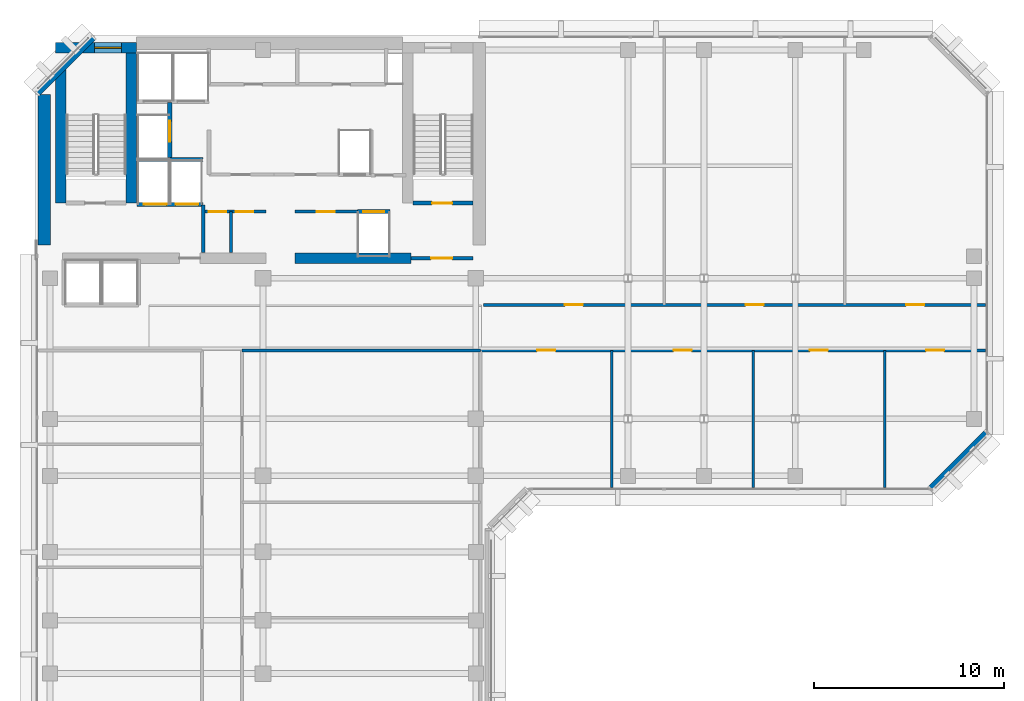
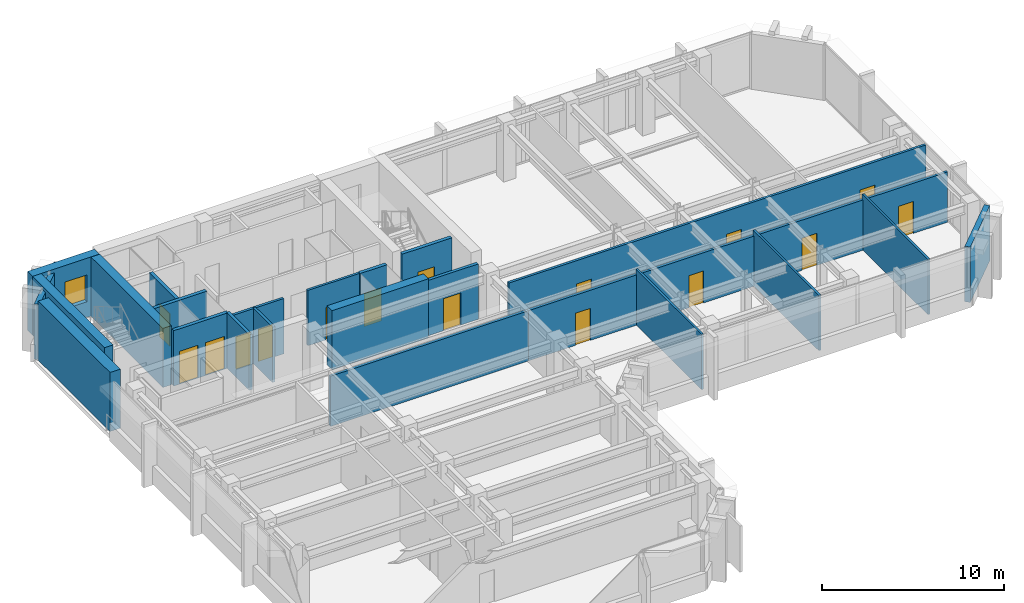
# One storey, part 7 of 12: 23 walls, 16 doors, 1 window, 17 openings.
"""IFC4 building model written with IfcOpenShell, lengths in metres."""

from ifc_helpers import new_model, si_unit, direction, frame, frame_2d, origin, place, context, subcontext, project, spatial, rectangle, extrude, material, layer, layer_set, type_object, element, fill, save


model = new_model("IFC4")

# Units and contexts
model_context = context("Model", 3, precision=1e-05, world=origin(), true_north=direction((0.0, 1.0)))
body_context = subcontext(model_context, "Body", "Model", "MODEL_VIEW")
ifc_project = project(units=[si_unit("LENGTHUNIT", "METRE"), si_unit("AREAUNIT", "SQUARE_METRE"), si_unit("VOLUMEUNIT", "CUBIC_METRE"), si_unit("PLANEANGLEUNIT", "RADIAN"), si_unit("MASSUNIT", "GRAM", prefix="KILO")], contexts=[model_context])

# Site, building, storey
site_placement = place(None, origin())
site = spatial("IfcSite", under=ifc_project, at=site_placement, CompositionType="ELEMENT")
building_placement = place(site_placement, origin())
building = spatial("IfcBuilding", under=site, at=building_placement, Name="Kefirva Bronze Tower", CompositionType="ELEMENT")
storey_placement = place(building_placement, frame((0.0, 0.0, 260.3701171875)))
storey = spatial("IfcBuildingStorey", under=building, at=storey_placement, Name="L63", CompositionType="ELEMENT", Elevation=260.3701171875)

# Walls
ifc_material_1 = material(Name="Gypsum acoustic partition")
ifc_layer_1 = layer(ifc_material_1, 0.1298828125, Name="Gypsum acoustic partition")
ifc_layer_set_1 = layer_set([ifc_layer_1], Name="Gypsum acoustic partition")
wall_type_1 = type_object("IfcWallType", Name="Acoustic Office Partition 130mm", PredefinedType="PARTITIONING", material=ifc_layer_set_1)
for number, where, z_axis, x_axis, name in (
    (1, (30.355712890625, 22.18994140625, 0.0), (0.0, 0.0, 1.0), (0.0, 1.0, 0.0), "L63 Partition W-L63-ESD1"),
    (2, (37.79248046875, 22.18994140625, 0.0), (0.0, 0.0, 1.0), (0.0, 1.0, 0.0), "L63 Partition W-L63-ESD2"),
    (3, (44.697998046875, 22.18994140625, 0.0), (0.0, 0.0, 1.0), (0.0, 1.0, 0.0), "L63 Partition W-L63-ESD3"),
):
    element("IfcWall", number, at=place(storey_placement, frame(where, z_axis=z_axis, x_axis=x_axis)), inside=storey, type_object=wall_type_1, Name=name, PredefinedType="PARTITIONING", context=body_context, shape_type="SweptSolid", body=[
        extrude(rectangle(XDim=7.2099609375, YDim=0.1298828125, at=frame_2d((3.60498046875, 0.0))), origin(), (0.0, 0.0, 1.0), 3.7099609375),
    ])

# Wall, opening, door
ifc_layer_2 = layer(ifc_material_1, 0.14990234375, Name="Gypsum acoustic partition")
ifc_layer_set_2 = layer_set([ifc_layer_2], Name="Gypsum acoustic partition")
wall_type_2 = type_object("IfcWallType", Name="Executive Suite Partition 150mm", PredefinedType="PARTITIONING", material=ifc_layer_set_2)
wall_1_placement = place(storey_placement, frame((13.679931640625, 36.699951171875, 0.0), z_axis=(0.0, 0.0, 1.0), x_axis=(1.0, 0.0, 0.0)))
wall_1 = element("IfcWall", 4, at=wall_1_placement, inside=storey, type_object=wall_type_2, Name="L63 Partition W-L63-RECMP1", PredefinedType="PARTITIONING", context=body_context, shape_type="SweptSolid", body=[
    extrude(rectangle(XDim=3.280029296875, YDim=0.14990234375, at=frame_2d((1.64013671875, 0.0))), origin(), (0.0, 0.0, 1.0), 3.7099609375),
])
opening_1_placement = place(wall_1_placement, frame((1.14990234375, 0.0, 0.0)))
opening_1 = element("IfcOpeningElement", 5, at=opening_1_placement, cuts=wall_1, Name="Opening L63-D-RECMP1", PredefinedType="OPENING", context=body_context, shape_type="SweptSolid", body=[
    extrude(rectangle(XDim=0.949951171875, YDim=2.14990234375, at=frame_2d((0.47509765625, 1.074951171875))), frame((0.0, 0.0849609375, 0.0), z_axis=(0.0, -1.0, 0.0), x_axis=(1.0, 0.0, 0.0)), (0.0, 0.0, 1.0), 0.169921875),
])
ifc_material_2 = material(Name="Acoustic hardwood oak", Category="wood")
door_type_1 = type_object("IfcDoorType", Name="Office & Meeting Room Door 950x2150", OperationType="NOTDEFINED", PredefinedType="DOOR", material=ifc_material_2)
door_1_placement = place(opening_1_placement, origin())
door_1 = element("IfcDoor", 6, at=door_1_placement, inside=storey, type_object=door_type_1, Name="Door L63-D-RECMP1", OperationType="SINGLE_SWING_LEFT", OverallHeight=2.14990234375, OverallWidth=0.949951171875, PredefinedType="DOOR", context=body_context, shape_type="SweptSolid", body=[
    extrude(rectangle(XDim=0.949951171875, YDim=2.14990234375, at=frame_2d((0.47509765625, 1.074951171875))), frame((0.0, 0.02490234375, 0.0), z_axis=(0.0, -1.0, 0.0), x_axis=(1.0, 0.0, 0.0)), (0.0, 0.0, 1.0), 0.050048828125),
])
fill(opening_1, door_1)

ifc_material_3 = material(Name="Gypsum fireboard shaftwall")
ifc_layer_3 = layer(ifc_material_3, 0.219970703125, Name="Gypsum fireboard shaftwall")
ifc_layer_set_3 = layer_set([ifc_layer_3], Name="Gypsum fireboard shaftwall")
wall_type_3 = type_object("IfcWallType", Name="Fire-Rated Shaft Enclosure Wall 220mm", PredefinedType="PARTITIONING", material=ifc_layer_set_3)
wall_2_placement = place(storey_placement, frame((19.89990234375, 37.14990234375, 0.0), z_axis=(0.0, 0.0, 1.0), x_axis=(1.0, 0.0, 0.0)))
wall_2 = element("IfcWall", 7, at=wall_2_placement, inside=storey, type_object=wall_type_3, Name="L63 Partition W-L63-ST2S", PredefinedType="PARTITIONING", context=body_context, shape_type="SweptSolid", body=[
    extrude(rectangle(XDim=3.150146484375, YDim=0.219970703125, at=frame_2d((1.5751953125, 0.0))), origin(), (0.0, 0.0, 1.0), 3.7099609375),
])
opening_2_placement = place(wall_2_placement, frame((2.050048828125, 0.0, 0.0), z_axis=(0.0, 0.0, 1.0), x_axis=(-1.0, 0.0, 0.0)))
opening_2 = element("IfcOpeningElement", 8, at=opening_2_placement, cuts=wall_2, Name="Opening L63-D003", PredefinedType="OPENING", context=body_context, shape_type="SweptSolid", body=[
    extrude(rectangle(XDim=1.050048828125, YDim=2.14990234375, at=frame_2d((0.52490234375, 1.074951171875))), frame((0.0, 0.1201171875, 0.0), z_axis=(0.0, -1.0, 0.0), x_axis=(1.0, 0.0, 0.0)), (0.0, 0.0, 1.0), 0.239990234375),
])
ifc_material_4 = material(Name="Painted galvanized steel", Category="steel")
door_type_2 = type_object("IfcDoorType", Name="Fire Stair Enclosure Door 1050x2150 FD90S", OperationType="NOTDEFINED", PredefinedType="DOOR", material=ifc_material_4)
door_2_placement = place(opening_2_placement, origin())
door_2 = element("IfcDoor", 9, at=door_2_placement, inside=storey, type_object=door_type_2, Name="Door L63-D003", OperationType="SINGLE_SWING_LEFT", OverallHeight=2.14990234375, OverallWidth=1.050048828125, PredefinedType="DOOR", context=body_context, shape_type="SweptSolid", body=[
    extrude(rectangle(XDim=1.050048828125, YDim=2.14990234375, at=frame_2d((0.52490234375, 1.074951171875))), frame((0.0, 0.02490234375, 0.0), z_axis=(0.0, -1.0, 0.0), x_axis=(1.0, 0.0, 0.0)), (0.0, 0.0, 1.0), 0.050048828125),
])
fill(opening_2, door_2)

# Wall, openings, doors
wall_3_placement = place(storey_placement, frame((5.3798828125, 37.080078125, 0.0), z_axis=(0.0, 0.0, 1.0), x_axis=(1.0, 0.0, 0.0)))
wall_3 = element("IfcWall", 10, at=wall_3_placement, inside=storey, type_object=wall_type_3, Name="L63 Partition W-L63-FFS", PredefinedType="PARTITIONING", context=body_context, shape_type="SweptSolid", body=[
    extrude(rectangle(XDim=3.460205078125, YDim=0.219970703125, at=frame_2d((1.72998046875, 0.0))), origin(), (0.0, 0.0, 1.0), 3.7099609375),
])
opening_3_placement = place(wall_3_placement, frame((1.550048828125, 0.0, 0.0), z_axis=(0.0, 0.0, 1.0), x_axis=(-1.0, 0.0, 0.0)))
opening_3 = element("IfcOpeningElement", 11, at=opening_3_placement, cuts=wall_3, Name="Opening L63-LD-FF1", PredefinedType="OPENING", context=body_context, shape_type="SweptSolid", body=[
    extrude(rectangle(XDim=1.199951171875, YDim=2.199951171875, at=frame_2d((0.60009765625, 1.10009765625))), frame((0.0, 0.1201171875, 0.0), z_axis=(0.0, -1.0, 0.0), x_axis=(1.0, 0.0, 0.0)), (0.0, 0.0, 1.0), 0.239990234375),
])
opening_4_placement = place(wall_3_placement, frame((3.219970703125, 0.0, 0.0), z_axis=(0.0, 0.0, 1.0), x_axis=(-1.0, 0.0, 0.0)))
opening_4 = element("IfcOpeningElement", 12, at=opening_4_placement, cuts=wall_3, Name="Opening L63-LD-FF2", PredefinedType="OPENING", context=body_context, shape_type="SweptSolid", body=[
    extrude(rectangle(XDim=1.199951171875, YDim=2.199951171875, at=frame_2d((0.60009765625, 1.10009765625))), frame((0.0, 0.1201171875, 0.0), z_axis=(0.0, -1.0, 0.0), x_axis=(1.0, 0.0, 0.0)), (0.0, 0.0, 1.0), 0.239990234375),
])
ifc_material_5 = material(Name="Stainless steel 316", Category="steel")
door_type_3 = type_object("IfcDoorType", Name="Firefighting Lift Sliding Door 1200x2200", OperationType="SLIDING_TO_RIGHT", PredefinedType="DOOR", material=ifc_material_5)
door_3_placement = place(opening_3_placement, origin())
door_3 = element("IfcDoor", 13, at=door_3_placement, inside=storey, type_object=door_type_3, Name="Door L63-LD-FF1", OperationType="SLIDING_TO_RIGHT", OverallHeight=2.199951171875, OverallWidth=1.199951171875, PredefinedType="DOOR", context=body_context, shape_type="SweptSolid", body=[
    extrude(rectangle(XDim=1.199951171875, YDim=2.199951171875, at=frame_2d((0.60009765625, 1.10009765625))), frame((0.0, 0.02490234375, 0.0), z_axis=(0.0, -1.0, 0.0), x_axis=(1.0, 0.0, 0.0)), (0.0, 0.0, 1.0), 0.050048828125),
])
fill(opening_3, door_3)
door_4_placement = place(opening_4_placement, origin())
door_4 = element("IfcDoor", 14, at=door_4_placement, inside=storey, type_object=door_type_3, Name="Door L63-LD-FF2", OperationType="SLIDING_TO_RIGHT", OverallHeight=2.199951171875, OverallWidth=1.199951171875, PredefinedType="DOOR", context=body_context, shape_type="SweptSolid", body=[
    extrude(rectangle(XDim=1.199951171875, YDim=2.199951171875, at=frame_2d((0.60009765625, 1.10009765625))), frame((0.0, 0.02490234375, 0.0), z_axis=(0.0, -1.0, 0.0), x_axis=(1.0, 0.0, 0.0)), (0.0, 0.0, 1.0), 0.050048828125),
])
fill(opening_4, door_4)

# Wall
wall_4_placement = place(storey_placement, frame((5.3798828125, 39.449951171875, 0.0), z_axis=(0.0, 0.0, 1.0), x_axis=(1.0, 0.0, 0.0)))
element("IfcWall", 15, at=wall_4_placement, inside=storey, type_object=wall_type_3, Name="L63 Partition W-L63-FFN", PredefinedType="PARTITIONING", context=body_context, shape_type="SweptSolid", body=[
    extrude(rectangle(XDim=3.460205078125, YDim=0.219970703125, at=frame_2d((1.72998046875, 0.0))), origin(), (0.0, 0.0, 1.0), 3.7099609375),
])

# Wall, opening, door
wall_5_placement = place(storey_placement, frame((7.10009765625, 39.52001953125, 0.0), z_axis=(0.0, 0.0, 1.0), x_axis=(0.0, 1.0, 0.0)))
wall_5 = element("IfcWall", 16, at=wall_5_placement, inside=storey, type_object=wall_type_3, Name="L63 Partition W-L63-HP3E", PredefinedType="PARTITIONING", context=body_context, shape_type="SweptSolid", body=[
    extrude(rectangle(XDim=2.929931640625, YDim=0.219970703125, at=frame_2d((1.46484375, 0.0))), origin(), (0.0, 0.0, 1.0), 3.7099609375),
])
opening_5_placement = place(wall_5_placement, frame((0.85009765625, 0.0, 0.0)))
opening_5 = element("IfcOpeningElement", 17, at=opening_5_placement, cuts=wall_5, Name="Opening L63-LD-HP3", PredefinedType="OPENING", context=body_context, shape_type="SweptSolid", body=[
    extrude(rectangle(XDim=1.10009765625, YDim=2.199951171875, at=frame_2d((0.550048828125, 1.10009765625))), frame((0.0, 0.1201171875, 0.0), z_axis=(0.0, -1.0, 0.0), x_axis=(1.0, 0.0, 0.0)), (0.0, 0.0, 1.0), 0.239990234375),
])
door_type_4 = type_object("IfcDoorType", Name="Passenger Lift Sliding Landing Door 1100x2200", OperationType="SLIDING_TO_LEFT", PredefinedType="DOOR", material=ifc_material_5)
door_5_placement = place(opening_5_placement, origin())
door_5 = element("IfcDoor", 18, at=door_5_placement, inside=storey, type_object=door_type_4, Name="Door L63-LD-HP3", OperationType="SLIDING_TO_LEFT", OverallHeight=2.199951171875, OverallWidth=1.10009765625, PredefinedType="DOOR", context=body_context, shape_type="SweptSolid", body=[
    extrude(rectangle(XDim=1.10009765625, YDim=2.199951171875, at=frame_2d((0.550048828125, 1.10009765625))), frame((0.0, 0.02490234375, 0.0), z_axis=(0.0, -1.0, 0.0), x_axis=(1.0, 0.0, 0.0)), (0.0, 0.0, 1.0), 0.050048828125),
])
fill(opening_5, door_5)

wall_6_placement = place(storey_placement, frame((16.97998046875, 36.699951171875, 0.0), z_axis=(0.0, 0.0, 1.0), x_axis=(1.0, 0.0, 0.0)))
wall_6 = element("IfcWall", 19, at=wall_6_placement, inside=storey, type_object=wall_type_3, Name="L63 Partition W-L63-HPS", PredefinedType="PARTITIONING", context=body_context, shape_type="SweptSolid", body=[
    extrude(rectangle(XDim=1.699951171875, YDim=0.219970703125, at=frame_2d((0.85009765625, 0.0))), origin(), (0.0, 0.0, 1.0), 3.7099609375),
])
opening_6_placement = place(wall_6_placement, frame((0.300048828125, 0.0, 0.0)))
opening_6 = element("IfcOpeningElement", 20, at=opening_6_placement, cuts=wall_6, Name="Opening L63-LD-HP1", PredefinedType="OPENING", context=body_context, shape_type="SweptSolid", body=[
    extrude(rectangle(XDim=1.10009765625, YDim=2.199951171875, at=frame_2d((0.550048828125, 1.10009765625))), frame((0.0, 0.1201171875, 0.0), z_axis=(0.0, -1.0, 0.0), x_axis=(1.0, 0.0, 0.0)), (0.0, 0.0, 1.0), 0.239990234375),
])
door_6_placement = place(opening_6_placement, origin())
door_6 = element("IfcDoor", 21, at=door_6_placement, inside=storey, type_object=door_type_4, Name="Door L63-LD-HP1", OperationType="SLIDING_TO_LEFT", OverallHeight=2.199951171875, OverallWidth=1.10009765625, PredefinedType="DOOR", context=body_context, shape_type="SweptSolid", body=[
    extrude(rectangle(XDim=1.10009765625, YDim=2.199951171875, at=frame_2d((0.550048828125, 1.10009765625))), frame((0.0, 0.02490234375, 0.0), z_axis=(0.0, -1.0, 0.0), x_axis=(1.0, 0.0, 0.0)), (0.0, 0.0, 1.0), 0.050048828125),
])
fill(opening_6, door_6)

# Wall
ifc_material_6 = material(Name="Gypsum fireboard barrier")
ifc_layer_4 = layer(ifc_material_6, 0.199951171875, Name="Gypsum fireboard barrier")
ifc_layer_set_4 = layer_set([ifc_layer_4], Name="Gypsum fireboard barrier")
wall_type_4 = type_object("IfcWallType", Name="Firefighting Lobby Barrier Wall 200mm", PredefinedType="PARTITIONING", material=ifc_layer_set_4)
wall_7_placement = place(storey_placement, frame((8.860107421875, 34.550048828125, 0.0), z_axis=(0.0, 0.0, 1.0), x_axis=(0.0, 1.0, 0.0)))
element("IfcWall", 22, at=wall_7_placement, inside=storey, type_object=wall_type_4, Name="L63 Partition W-L63-FFLE", PredefinedType="PARTITIONING", context=body_context, shape_type="SweptSolid", body=[
    extrude(rectangle(XDim=2.5, YDim=0.199951171875, at=frame_2d((1.25, 0.0))), origin(), (0.0, 0.0, 1.0), 3.7099609375),
])

# Wall, opening, door
wall_8_placement = place(storey_placement, frame((19.800048828125, 34.25, 0.0), z_axis=(0.0, 0.0, 1.0), x_axis=(1.0, 0.0, 0.0)))
wall_8 = element("IfcWall", 23, at=wall_8_placement, inside=storey, type_object=wall_type_4, Name="L63 Partition W-L63-ST2F", PredefinedType="PARTITIONING", context=body_context, shape_type="SweptSolid", body=[
    extrude(rectangle(XDim=3.25, YDim=0.199951171875, at=frame_2d((1.625, 0.0))), origin(), (0.0, 0.0, 1.0), 3.7099609375),
])
opening_7_placement = place(wall_8_placement, frame((2.150146484375, 0.0, 0.0), z_axis=(0.0, 0.0, 1.0), x_axis=(-1.0, 0.0, 0.0)))
opening_7 = element("IfcOpeningElement", 24, at=opening_7_placement, cuts=wall_8, Name="Opening L63-D004", PredefinedType="OPENING", context=body_context, shape_type="SweptSolid", body=[
    extrude(rectangle(XDim=1.10009765625, YDim=2.14990234375, at=frame_2d((0.550048828125, 1.074951171875))), frame((0.0, 0.10986328125, 0.0), z_axis=(0.0, -1.0, 0.0), x_axis=(1.0, 0.0, 0.0)), (0.0, 0.0, 1.0), 0.219970703125),
])
door_type_5 = type_object("IfcDoorType", Name="Firefighting Lobby Smoke Door 1100x2150 FD60S", OperationType="NOTDEFINED", PredefinedType="DOOR", material=ifc_material_4)
door_7_placement = place(opening_7_placement, origin())
door_7 = element("IfcDoor", 25, at=door_7_placement, inside=storey, type_object=door_type_5, Name="Door L63-D004", OperationType="SINGLE_SWING_RIGHT", OverallHeight=2.14990234375, OverallWidth=1.10009765625, PredefinedType="DOOR", context=body_context, shape_type="SweptSolid", body=[
    extrude(rectangle(XDim=1.10009765625, YDim=2.14990234375, at=frame_2d((0.550048828125, 1.074951171875))), frame((0.0, 0.02490234375, 0.0), z_axis=(0.0, -1.0, 0.0), x_axis=(1.0, 0.0, 0.0)), (0.0, 0.0, 1.0), 0.050048828125),
])
fill(opening_7, door_7)

# Walls
ifc_material_7 = material(Name="Precast concrete C40/50", Category="concrete")
ifc_layer_5 = layer(ifc_material_7, 0.320068359375, Name="Precast concrete C40/50")
ifc_layer_set_5 = layer_set([ifc_layer_5], Name="Precast concrete C40/50")
wall_type_5 = type_object("IfcWallType", Name="Precast Insulated Exterior Wall 320mm", PredefinedType="SOLIDWALL", material=ifc_layer_set_5)
for number, where, z_axis, x_axis, name in (
    (26, (47.125732421875, 22.152099609375, 0.0), (0.0, 0.0, 1.0), (0.707136318428, 0.707077242712, 0.0), "L63 Exterior Facade Wall 4"),
    (27, (3.07421875, 45.847900390625, 0.0), (0.0, 0.0, 1.0), (-0.707106781187, -0.707106781187, 0.0), "L63 Exterior Facade Wall 6"),
):
    element("IfcWall", number, at=place(storey_placement, frame(where, z_axis=z_axis, x_axis=x_axis)), inside=storey, type_object=wall_type_5, Name=name, PredefinedType="SOLIDWALL", context=body_context, shape_type="SweptSolid", body=[
        extrude(rectangle(XDim=4.132568359375, YDim=0.320068359375, at=frame_2d((2.06640625, 0.0))), origin(), (0.0, 0.0, 1.0), 3.7099609375),
    ])

# Wall, openings, doors
ifc_layer_6 = layer(ifc_material_1, 0.159912109375, Name="Gypsum acoustic partition")
ifc_layer_set_6 = layer_set([ifc_layer_6], Name="Gypsum acoustic partition")
wall_type_6 = type_object("IfcWallType", Name="Protected Corridor Partition 160mm", PredefinedType="PARTITIONING", material=ifc_layer_set_6)
wall_9_placement = place(storey_placement, frame((8.89990234375, 36.699951171875, 0.0), z_axis=(0.0, 0.0, 1.0), x_axis=(1.0, 0.0, 0.0)))
wall_9 = element("IfcWall", 28, at=wall_9_placement, inside=storey, type_object=wall_type_6, Name="L63 Partition W-L63-RECLP1", PredefinedType="PARTITIONING", context=body_context, shape_type="SweptSolid", body=[
    extrude(rectangle(XDim=3.25, YDim=0.159912109375, at=frame_2d((1.625, 0.0))), origin(), (0.0, 0.0, 1.0), 3.7099609375),
])
opening_8_placement = place(wall_9_placement, frame((0.260009765625, 0.0, 0.0)))
opening_8 = element("IfcOpeningElement", 29, at=opening_8_placement, cuts=wall_9, Name="Opening L63-D-RECLP1A", PredefinedType="OPENING", context=body_context, shape_type="SweptSolid", body=[
    extrude(rectangle(XDim=0.89990234375, YDim=2.14990234375, at=frame_2d((0.449951171875, 1.074951171875))), frame((0.0, 0.08984375, 0.0), z_axis=(0.0, -1.0, 0.0), x_axis=(1.0, 0.0, 0.0)), (0.0, 0.0, 1.0), 0.179931640625),
])
opening_9_placement = place(wall_9_placement, frame((1.679931640625, 0.0, 0.0)))
opening_9 = element("IfcOpeningElement", 30, at=opening_9_placement, cuts=wall_9, Name="Opening L63-D-RECLP1B", PredefinedType="OPENING", context=body_context, shape_type="SweptSolid", body=[
    extrude(rectangle(XDim=0.89990234375, YDim=2.14990234375, at=frame_2d((0.449951171875, 1.074951171875))), frame((0.0, 0.08984375, 0.0), z_axis=(0.0, -1.0, 0.0), x_axis=(1.0, 0.0, 0.0)), (0.0, 0.0, 1.0), 0.179931640625),
])
door_type_6 = type_object("IfcDoorType", Name="Core Archive & Server Fire Door 900x2150 FD60S", OperationType="NOTDEFINED", PredefinedType="DOOR", material=ifc_material_4)
door_8_placement = place(opening_8_placement, origin())
door_8 = element("IfcDoor", 31, at=door_8_placement, inside=storey, type_object=door_type_6, Name="Door L63-D-RECLP1A", OperationType="SINGLE_SWING_RIGHT", OverallHeight=2.14990234375, OverallWidth=0.89990234375, PredefinedType="DOOR", context=body_context, shape_type="SweptSolid", body=[
    extrude(rectangle(XDim=0.89990234375, YDim=2.14990234375, at=frame_2d((0.449951171875, 1.074951171875))), frame((0.0, 0.02490234375, 0.0), z_axis=(0.0, -1.0, 0.0), x_axis=(1.0, 0.0, 0.0)), (0.0, 0.0, 1.0), 0.050048828125),
])
fill(opening_8, door_8)
door_9_placement = place(opening_9_placement, origin())
door_9 = element("IfcDoor", 32, at=door_9_placement, inside=storey, type_object=door_type_6, Name="Door L63-D-RECLP1B", OperationType="SINGLE_SWING_LEFT", OverallHeight=2.14990234375, OverallWidth=0.89990234375, PredefinedType="DOOR", context=body_context, shape_type="SweptSolid", body=[
    extrude(rectangle(XDim=0.89990234375, YDim=2.14990234375, at=frame_2d((0.449951171875, 1.074951171875))), frame((0.0, 0.02490234375, 0.0), z_axis=(0.0, -1.0, 0.0), x_axis=(1.0, 0.0, 0.0)), (0.0, 0.0, 1.0), 0.050048828125),
])
fill(opening_9, door_9)

# Walls
wall_10_placement = place(storey_placement, frame((10.320068359375, 34.550048828125, 0.0), z_axis=(0.0, 0.0, 1.0), x_axis=(0.0, 1.0, 0.0)))
element("IfcWall", 33, at=wall_10_placement, inside=storey, type_object=wall_type_6, Name="L63 Partition W-L63-RECLP1D", PredefinedType="PARTITIONING", context=body_context, shape_type="SweptSolid", body=[
    extrude(rectangle(XDim=2.14990234375, YDim=0.159912109375, at=frame_2d((1.074951171875, 0.0))), origin(), (0.0, 0.0, 1.0), 3.7099609375),
])
wall_11_placement = place(storey_placement, frame((10.89990234375, 29.39990234375, 0.0), z_axis=(0.0, 0.0, 1.0), x_axis=(1.0, 0.0, 0.0)))
element("IfcWall", 34, at=wall_11_placement, inside=storey, type_object=wall_type_6, Name="L63 Partition W-L63-NET", PredefinedType="PARTITIONING", context=body_context, shape_type="SweptSolid", body=[
    extrude(rectangle(XDim=12.550048828125, YDim=0.159912109375, at=frame_2d((6.27490234375, 0.0))), origin(), (0.0, 0.0, 1.0), 3.364990234375),
])

# Wall, openings, doors
wall_12_placement = place(storey_placement, frame((23.449951171875, 29.39990234375, 0.0), z_axis=(0.0, 0.0, 1.0), x_axis=(1.0, 0.0, 0.0)))
wall_12 = element("IfcWall", 35, at=wall_12_placement, inside=storey, type_object=wall_type_6, Name="L63 Partition W-L63-EWS", PredefinedType="PARTITIONING", context=body_context, shape_type="SweptSolid", body=[
    extrude(rectangle(XDim=26.56005859375, YDim=0.159912109375, at=frame_2d((13.280029296875, 0.0))), origin(), (0.0, 0.0, 1.0), 3.364990234375),
])
opening_10_placement = place(wall_12_placement, frame((3.927734375, 0.0, 0.0), z_axis=(0.0, 0.0, 1.0), x_axis=(-1.0, 0.0, 0.0)))
opening_10 = element("IfcOpeningElement", 36, at=opening_10_placement, cuts=wall_12, Name="Opening L63-D-ES1", PredefinedType="OPENING", context=body_context, shape_type="SweptSolid", body=[
    extrude(rectangle(XDim=0.949951171875, YDim=2.14990234375, at=frame_2d((0.47509765625, 1.074951171875))), frame((0.0, 0.08984375, 0.0), z_axis=(0.0, -1.0, 0.0), x_axis=(1.0, 0.0, 0.0)), (0.0, 0.0, 1.0), 0.179931640625),
])
opening_11_placement = place(wall_12_placement, frame((11.098876953125, 0.0, 0.0), z_axis=(0.0, 0.0, 1.0), x_axis=(-1.0, 0.0, 0.0)))
opening_11 = element("IfcOpeningElement", 37, at=opening_11_placement, cuts=wall_12, Name="Opening L63-D-ES2", PredefinedType="OPENING", context=body_context, shape_type="SweptSolid", body=[
    extrude(rectangle(XDim=0.949951171875, YDim=2.14990234375, at=frame_2d((0.47509765625, 1.074951171875))), frame((0.0, 0.08984375, 0.0), z_axis=(0.0, -1.0, 0.0), x_axis=(1.0, 0.0, 0.0)), (0.0, 0.0, 1.0), 0.179931640625),
])
opening_12_placement = place(wall_12_placement, frame((18.270263671875, 0.0, 0.0), z_axis=(0.0, 0.0, 1.0), x_axis=(-1.0, 0.0, 0.0)))
opening_12 = element("IfcOpeningElement", 38, at=opening_12_placement, cuts=wall_12, Name="Opening L63-D-ES3", PredefinedType="OPENING", context=body_context, shape_type="SweptSolid", body=[
    extrude(rectangle(XDim=0.949951171875, YDim=2.14990234375, at=frame_2d((0.47509765625, 1.074951171875))), frame((0.0, 0.08984375, 0.0), z_axis=(0.0, -1.0, 0.0), x_axis=(1.0, 0.0, 0.0)), (0.0, 0.0, 1.0), 0.179931640625),
])
opening_13_placement = place(wall_12_placement, frame((24.37890625, 0.0, 0.0), z_axis=(0.0, 0.0, 1.0), x_axis=(-1.0, 0.0, 0.0)))
opening_13 = element("IfcOpeningElement", 39, at=opening_13_placement, cuts=wall_12, Name="Opening L63-D-ES4", PredefinedType="OPENING", context=body_context, shape_type="SweptSolid", body=[
    extrude(rectangle(XDim=0.949951171875, YDim=2.14990234375, at=frame_2d((0.47509765625, 1.074951171875))), frame((0.0, 0.08984375, 0.0), z_axis=(0.0, -1.0, 0.0), x_axis=(1.0, 0.0, 0.0)), (0.0, 0.0, 1.0), 0.179931640625),
])
door_10_placement = place(opening_10_placement, origin())
door_10 = element("IfcDoor", 40, at=door_10_placement, inside=storey, type_object=door_type_1, Name="Door L63-D-ES1", OperationType="SINGLE_SWING_RIGHT", OverallHeight=2.14990234375, OverallWidth=0.949951171875, PredefinedType="DOOR", context=body_context, shape_type="SweptSolid", body=[
    extrude(rectangle(XDim=0.949951171875, YDim=2.14990234375, at=frame_2d((0.47509765625, 1.074951171875))), frame((0.0, 0.02490234375, 0.0), z_axis=(0.0, -1.0, 0.0), x_axis=(1.0, 0.0, 0.0)), (0.0, 0.0, 1.0), 0.050048828125),
])
fill(opening_10, door_10)
door_11_placement = place(opening_11_placement, origin())
door_11 = element("IfcDoor", 41, at=door_11_placement, inside=storey, type_object=door_type_1, Name="Door L63-D-ES2", OperationType="SINGLE_SWING_LEFT", OverallHeight=2.14990234375, OverallWidth=0.949951171875, PredefinedType="DOOR", context=body_context, shape_type="SweptSolid", body=[
    extrude(rectangle(XDim=0.949951171875, YDim=2.14990234375, at=frame_2d((0.47509765625, 1.074951171875))), frame((0.0, 0.02490234375, 0.0), z_axis=(0.0, -1.0, 0.0), x_axis=(1.0, 0.0, 0.0)), (0.0, 0.0, 1.0), 0.050048828125),
])
fill(opening_11, door_11)
door_12_placement = place(opening_12_placement, origin())
door_12 = element("IfcDoor", 42, at=door_12_placement, inside=storey, type_object=door_type_1, Name="Door L63-D-ES3", OperationType="SINGLE_SWING_RIGHT", OverallHeight=2.14990234375, OverallWidth=0.949951171875, PredefinedType="DOOR", context=body_context, shape_type="SweptSolid", body=[
    extrude(rectangle(XDim=0.949951171875, YDim=2.14990234375, at=frame_2d((0.47509765625, 1.074951171875))), frame((0.0, 0.02490234375, 0.0), z_axis=(0.0, -1.0, 0.0), x_axis=(1.0, 0.0, 0.0)), (0.0, 0.0, 1.0), 0.050048828125),
])
fill(opening_12, door_12)
door_13_placement = place(opening_13_placement, origin())
door_13 = element("IfcDoor", 43, at=door_13_placement, inside=storey, type_object=door_type_1, Name="Door L63-D-ES4", OperationType="SINGLE_SWING_LEFT", OverallHeight=2.14990234375, OverallWidth=0.949951171875, PredefinedType="DOOR", context=body_context, shape_type="SweptSolid", body=[
    extrude(rectangle(XDim=0.949951171875, YDim=2.14990234375, at=frame_2d((0.47509765625, 1.074951171875))), frame((0.0, 0.02490234375, 0.0), z_axis=(0.0, -1.0, 0.0), x_axis=(1.0, 0.0, 0.0)), (0.0, 0.0, 1.0), 0.050048828125),
])
fill(opening_13, door_13)

wall_13_placement = place(storey_placement, frame((23.60009765625, 31.800048828125, 0.0), z_axis=(0.0, 0.0, 1.0), x_axis=(1.0, 0.0, 0.0)))
wall_13 = element("IfcWall", 44, at=wall_13_placement, inside=storey, type_object=wall_type_6, Name="L63 Partition W-L63-EWN", PredefinedType="PARTITIONING", context=body_context, shape_type="SweptSolid", body=[
    extrude(rectangle(XDim=26.409912109375, YDim=0.159912109375, at=frame_2d((13.205078125, 0.0))), origin(), (0.0, 0.0, 1.0), 3.7099609375),
])
opening_14_placement = place(wall_13_placement, frame((4.27880859375, 0.0, 0.0)))
opening_14 = element("IfcOpeningElement", 45, at=opening_14_placement, cuts=wall_13, Name="Opening L63-D-EN1", PredefinedType="OPENING", context=body_context, shape_type="SweptSolid", body=[
    extrude(rectangle(XDim=0.949951171875, YDim=2.14990234375, at=frame_2d((0.47509765625, 1.074951171875))), frame((0.0, 0.08984375, 0.0), z_axis=(0.0, -1.0, 0.0), x_axis=(1.0, 0.0, 0.0)), (0.0, 0.0, 1.0), 0.179931640625),
])
opening_15_placement = place(wall_13_placement, frame((13.786376953125, 0.0, 0.0)))
opening_15 = element("IfcOpeningElement", 46, at=opening_15_placement, cuts=wall_13, Name="Opening L63-D-EN2", PredefinedType="OPENING", context=body_context, shape_type="SweptSolid", body=[
    extrude(rectangle(XDim=0.949951171875, YDim=2.14990234375, at=frame_2d((0.47509765625, 1.074951171875))), frame((0.0, 0.08984375, 0.0), z_axis=(0.0, -1.0, 0.0), x_axis=(1.0, 0.0, 0.0)), (0.0, 0.0, 1.0), 0.179931640625),
])
opening_16_placement = place(wall_13_placement, frame((22.237548828125, 0.0, 0.0)))
opening_16 = element("IfcOpeningElement", 47, at=opening_16_placement, cuts=wall_13, Name="Opening L63-D-EN3", PredefinedType="OPENING", context=body_context, shape_type="SweptSolid", body=[
    extrude(rectangle(XDim=0.949951171875, YDim=2.14990234375, at=frame_2d((0.47509765625, 1.074951171875))), frame((0.0, 0.08984375, 0.0), z_axis=(0.0, -1.0, 0.0), x_axis=(1.0, 0.0, 0.0)), (0.0, 0.0, 1.0), 0.179931640625),
])
door_14_placement = place(opening_14_placement, origin())
door_14 = element("IfcDoor", 48, at=door_14_placement, inside=storey, type_object=door_type_1, Name="Door L63-D-EN1", OperationType="SINGLE_SWING_RIGHT", OverallHeight=2.14990234375, OverallWidth=0.949951171875, PredefinedType="DOOR", context=body_context, shape_type="SweptSolid", body=[
    extrude(rectangle(XDim=0.949951171875, YDim=2.14990234375, at=frame_2d((0.47509765625, 1.074951171875))), frame((0.0, 0.02490234375, 0.0), z_axis=(0.0, -1.0, 0.0), x_axis=(1.0, 0.0, 0.0)), (0.0, 0.0, 1.0), 0.050048828125),
])
fill(opening_14, door_14)
door_15_placement = place(opening_15_placement, origin())
door_15 = element("IfcDoor", 49, at=door_15_placement, inside=storey, type_object=door_type_1, Name="Door L63-D-EN2", OperationType="SINGLE_SWING_LEFT", OverallHeight=2.14990234375, OverallWidth=0.949951171875, PredefinedType="DOOR", context=body_context, shape_type="SweptSolid", body=[
    extrude(rectangle(XDim=0.949951171875, YDim=2.14990234375, at=frame_2d((0.47509765625, 1.074951171875))), frame((0.0, 0.02490234375, 0.0), z_axis=(0.0, -1.0, 0.0), x_axis=(1.0, 0.0, 0.0)), (0.0, 0.0, 1.0), 0.050048828125),
])
fill(opening_15, door_15)
door_16_placement = place(opening_16_placement, origin())
door_16 = element("IfcDoor", 50, at=door_16_placement, inside=storey, type_object=door_type_1, Name="Door L63-D-EN3", OperationType="SINGLE_SWING_RIGHT", OverallHeight=2.14990234375, OverallWidth=0.949951171875, PredefinedType="DOOR", context=body_context, shape_type="SweptSolid", body=[
    extrude(rectangle(XDim=0.949951171875, YDim=2.14990234375, at=frame_2d((0.47509765625, 1.074951171875))), frame((0.0, 0.02490234375, 0.0), z_axis=(0.0, -1.0, 0.0), x_axis=(1.0, 0.0, 0.0)), (0.0, 0.0, 1.0), 0.050048828125),
])
fill(opening_16, door_16)

# Wall, opening, window
ifc_material_8 = material(Name="Concrete C50/60", Category="concrete")
ifc_layer_7 = layer(ifc_material_8, 0.550048828125, Name="Concrete C50/60")
ifc_layer_set_7 = layer_set([ifc_layer_7], Name="Concrete C50/60")
wall_type_7 = type_object("IfcWallType", Name="RC Rear Core Exterior Wall 550mm", PredefinedType="SHEAR", material=ifc_layer_set_7)
wall_14_placement = place(storey_placement, frame((1.10009765625, 45.320068359375, 0.0), z_axis=(0.0, 0.0, 1.0), x_axis=(1.0, 0.0, 0.0)))
wall_14 = element("IfcWall", 51, at=wall_14_placement, inside=storey, type_object=wall_type_7, Name="L63 Stair 1 North Shear Wall", PredefinedType="SHEAR", context=body_context, shape_type="SweptSolid", body=[
    extrude(rectangle(XDim=4.239990234375, YDim=0.550048828125, at=frame_2d((2.1201171875, 0.0))), origin(), (0.0, 0.0, 1.0), 3.9599609375),
])
opening_17_placement = place(wall_14_placement, frame((2.050048828125, 0.0, 1.050048828125)))
opening_17 = element("IfcOpeningElement", 52, at=opening_17_placement, cuts=wall_14, Name="Opening WN-03", PredefinedType="OPENING", context=body_context, shape_type="SweptSolid", body=[
    extrude(rectangle(XDim=1.39990234375, YDim=1.800048828125, at=frame_2d((0.699951171875, 0.89990234375))), frame((0.0, 0.28515625, 0.0), z_axis=(0.0, -1.0, 0.0), x_axis=(1.0, 0.0, 0.0)), (0.0, 0.0, 1.0), 0.570068359375),
])
ifc_material_9 = material(Name="Laminated low-E double glazing", Category="glass")
window_type = type_object("IfcWindowType", Name="Rear-Core Stair Daylight Window 1400x1800", PartitioningType="SINGLE_PANEL", PredefinedType="WINDOW", material=ifc_material_9)
window_placement = place(opening_17_placement, origin())
window = element("IfcWindow", 53, at=window_placement, inside=storey, type_object=window_type, Name="L63 Stair 1 Daylight Window", OverallHeight=1.800048828125, OverallWidth=1.39990234375, PartitioningType="SINGLE_PANEL", PredefinedType="WINDOW", context=body_context, shape_type="SweptSolid", body=[
    extrude(rectangle(XDim=1.39990234375, YDim=1.800048828125, at=frame_2d((0.699951171875, 0.89990234375))), frame((0.0, 0.030029296875, 0.0), z_axis=(0.0, -1.0, 0.0), x_axis=(1.0, 0.0, 0.0)), (0.0, 0.0, 1.0), 0.06005859375),
])
fill(opening_17, window)

# Walls
ifc_layer_8 = layer(ifc_material_8, 0.64990234375, Name="Concrete C50/60")
ifc_layer_set_8 = layer_set([ifc_layer_8], Name="Concrete C50/60")
wall_type_8 = type_object("IfcWallType", Name="RC Rear Core Exterior Wall 650mm", PredefinedType="SHEAR", material=ifc_layer_set_8)
wall_15_placement = place(storey_placement, frame((0.5, 34.949951171875, 0.0), z_axis=(0.0, 0.0, 1.0), x_axis=(0.0, 1.0, 0.0)))
element("IfcWall", 54, at=wall_15_placement, inside=storey, type_object=wall_type_8, Name="L63 Rear Core West Shear Wall", PredefinedType="SHEAR", context=body_context, shape_type="SweptSolid", body=[
    extrude(rectangle(XDim=7.900146484375, YDim=0.64990234375, at=frame_2d((3.9501953125, 0.0))), origin(), (0.0, 0.0, 1.0), 3.9599609375),
])
ifc_layer_9 = layer(ifc_material_8, 0.550048828125, Name="Concrete C50/60")
ifc_layer_set_9 = layer_set([ifc_layer_9], Name="Concrete C50/60")
wall_type_9 = type_object("IfcWallType", Name="RC Rear Core Interior Wall 550mm", PredefinedType="SHEAR", material=ifc_layer_set_9)
for number, where, z_axis, x_axis, name in (
    (55, (1.3701171875, 37.14990234375, 0.0), (0.0, 0.0, 1.0), (0.0, 1.0, 0.0), "L63 Stair 1 West Shear Wall"),
    (56, (5.070068359375, 37.14990234375, 0.0), (0.0, 0.0, 1.0), (0.0, 1.0, 0.0), "L63 Stair 1 East Shear Wall"),
):
    element("IfcWall", number, at=place(storey_placement, frame(where, z_axis=z_axis, x_axis=x_axis)), inside=storey, type_object=wall_type_9, Name=name, PredefinedType="SHEAR", context=body_context, shape_type="SweptSolid", body=[
        extrude(rectangle(XDim=7.89013671875, YDim=0.550048828125, at=frame_2d((3.945068359375, 0.0))), origin(), (0.0, 0.0, 1.0), 3.9599609375),
    ])
ifc_layer_10 = layer(ifc_material_8, 0.64990234375, Name="Concrete C50/60")
ifc_layer_set_10 = layer_set([ifc_layer_10], Name="Concrete C50/60")
wall_type_10 = type_object("IfcWallType", Name="RC Rear Core Interior Wall 650mm", PredefinedType="SHEAR", material=ifc_layer_set_10)
wall_16_placement = place(storey_placement, frame((13.679931640625, 34.25, 0.0), z_axis=(0.0, 0.0, 1.0), x_axis=(1.0, 0.0, 0.0)))
element("IfcWall", 57, at=wall_16_placement, inside=storey, type_object=wall_type_10, Name="L63 Rear Core South-East Shear Wall", PredefinedType="SHEAR", context=body_context, shape_type="SweptSolid", body=[
    extrude(rectangle(XDim=6.1201171875, YDim=0.550048828125, at=frame_2d((3.06005859375, 0.0))), origin(), (0.0, 0.0, 1.0), 3.9599609375),
])

save(model, "model.ifc")
